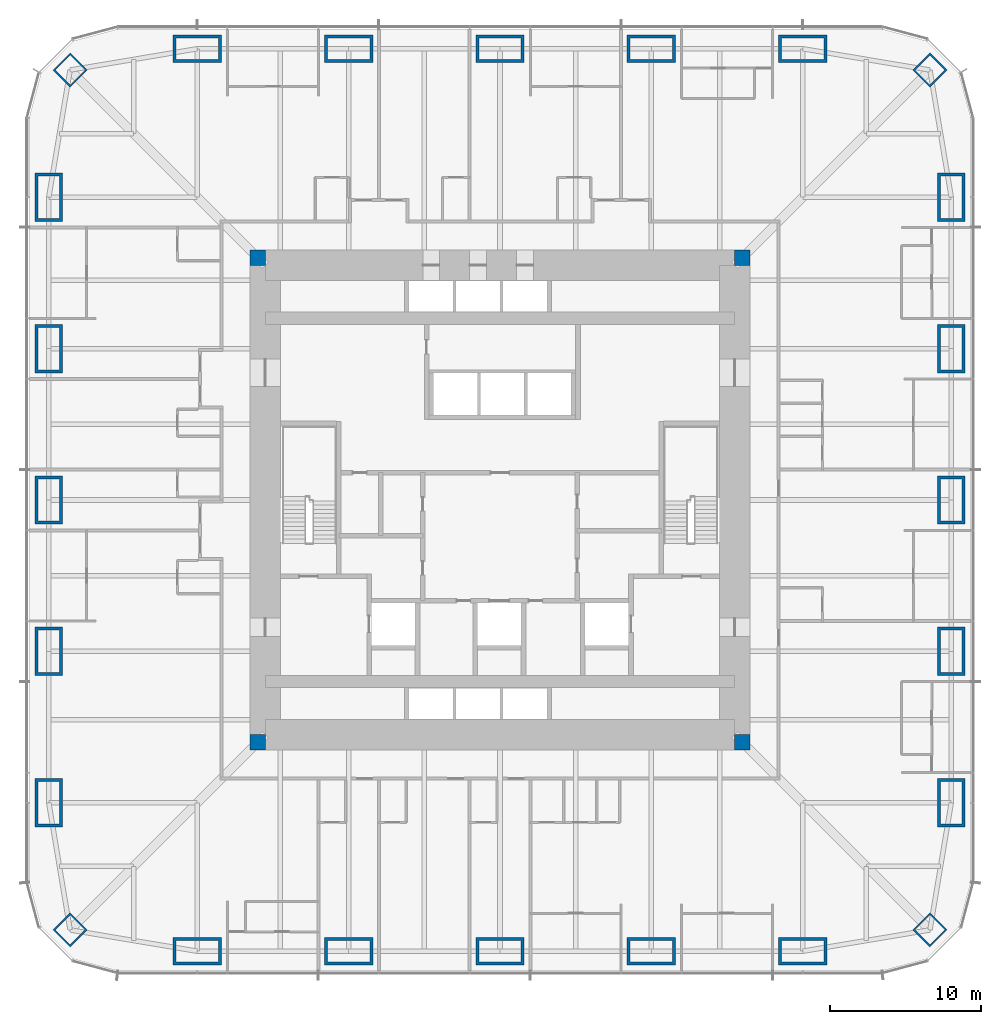
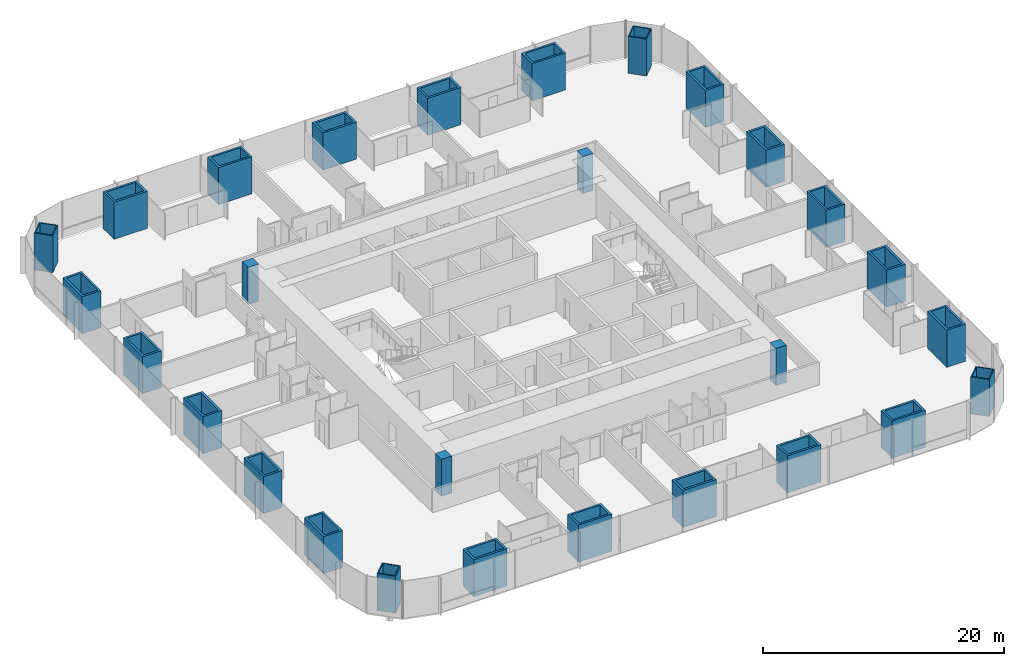
# One storey, part 1 of 17: 28 columns.
"""IFC4 building model written with IfcOpenShell, lengths in metres."""

from ifc_helpers import new_model, si_unit, direction, frame, origin, origin_2d, place, context, subcontext, project, spatial, rectangle, hollow_rectangle, extrude, material, material_profile, profile_set, type_object, element, save


model = new_model("IFC4")

# Units and contexts
model_context = context("Model", 3, precision=1e-05, world=origin(), true_north=direction((0.0, 1.0)))
body_context = subcontext(model_context, "Body", "Model", "MODEL_VIEW")
ifc_project = project(units=[si_unit("LENGTHUNIT", "METRE"), si_unit("AREAUNIT", "SQUARE_METRE"), si_unit("VOLUMEUNIT", "CUBIC_METRE"), si_unit("PLANEANGLEUNIT", "RADIAN"), si_unit("MASSUNIT", "GRAM", prefix="KILO")], contexts=[model_context])

# Site, building, storey
site_placement = place(None, origin())
site = spatial("IfcSite", under=ifc_project, at=site_placement, CompositionType="ELEMENT")
building_placement = place(site_placement, origin())
building = spatial("IfcBuilding", under=site, at=building_placement, Name="Khuree Lantern Residences", CompositionType="ELEMENT")
storey_placement = place(building_placement, frame((0.0, 0.0, 73.5)))
storey = spatial("IfcBuildingStorey", under=building, at=storey_placement, Name="L18", CompositionType="ELEMENT", Elevation=73.5)

# Columns
ifc_material_1 = material(Name="Steel S355 CFT welded box", Category="steel")
ifc_material_profile_1 = material_profile(ifc_material_1, hollow_rectangle(XDim=1.60009765625, YDim=1.60009765625, WallThickness=0.10009765625, at=origin_2d()), Name="WELDED BOX 1600X1600X100")
ifc_profile_set_1 = profile_set([ifc_material_profile_1], Name="Steel S355 CFT welded box")
column_type_1 = type_object("IfcColumnType", Name="CC1600 PERIMETER CORNER MEGA COLUMN WELDED BOX 1600X1600X100", PredefinedType="COLUMN", material=ifc_profile_set_1)
for number, where, z_axis, x_axis, name in (
    (1, (28.39404296875, 28.39404296875, 0.0), (0.0, 0.0, 1.0), (0.707106781187, -0.707106781187, 0.0), "Perimeter column NE"),
    (2, (28.39404296875, -28.39404296875, 0.0), (0.0, 0.0, 1.0), (0.707106781187, 0.707106781187, 0.0), "Perimeter column SE"),
    (3, (-28.39404296875, -28.39404296875, 0.0), (0.0, 0.0, 1.0), (0.707106781187, -0.707106781187, 0.0), "Perimeter column SW"),
    (4, (-28.39404296875, 28.39404296875, 0.0), (0.0, 0.0, 1.0), (0.707106781187, 0.707106781187, 0.0), "Perimeter column NW"),
):
    element("IfcColumn", number, at=place(storey_placement, frame(where, z_axis=z_axis, x_axis=x_axis)), inside=storey, type_object=column_type_1, Name=name, PredefinedType="COLUMN", context=body_context, shape_type="SweptSolid", body=[
        extrude(hollow_rectangle(XDim=1.60009765625, YDim=1.60009765625, WallThickness=0.10009765625, at=origin_2d()), origin(), (0.0, 0.0, 1.0), 3.75),
    ])
ifc_material_2 = material(Name="Concrete C70/85", Category="concrete")
ifc_material_profile_2 = material_profile(ifc_material_2, rectangle(XDim=1.0, YDim=1.0, at=origin_2d()), Name="RC 1000X1000")
ifc_profile_set_2 = profile_set([ifc_material_profile_2], Name="Concrete C70/85")
column_type_2 = type_object("IfcColumnType", Name="CP1000-C70 CORE CORNER PIER C70 RC 1000X1000", PredefinedType="COLUMN", material=ifc_profile_set_2)
for number, where, z_axis, x_axis, name in (
    (5, (16.0, 16.0, -0.25), (0.0, 0.0, 1.0), (1.0, 0.0, 0.0), "Core corner pier NE"),
    (6, (-16.0, 16.0, -0.25), (0.0, 0.0, 1.0), (1.0, 0.0, 0.0), "Core corner pier NW"),
    (7, (-16.0, -16.0, -0.25), (0.0, 0.0, 1.0), (1.0, 0.0, 0.0), "Core corner pier SW"),
    (8, (16.0, -16.0, -0.25), (0.0, 0.0, 1.0), (1.0, 0.0, 0.0), "Core corner pier SE"),
):
    element("IfcColumn", number, at=place(storey_placement, frame(where, z_axis=z_axis, x_axis=x_axis)), inside=storey, type_object=column_type_2, Name=name, PredefinedType="COLUMN", context=body_context, shape_type="SweptSolid", body=[
        extrude(rectangle(XDim=1.0, YDim=1.0, at=origin_2d()), origin(), (0.0, 0.0, 1.0), 3.75),
    ])
ifc_material_profile_3 = material_profile(ifc_material_1, hollow_rectangle(XDim=3.199951171875, YDim=1.800048828125, WallThickness=0.199951171875, at=origin_2d()), Name="WELDED BOX 3200X1800X200")
ifc_profile_set_3 = profile_set([ifc_material_profile_3], Name="Steel S355 CFT welded box")
column_type_3 = type_object("IfcColumnType", Name="SC1 PERIMETER MEGA COLUMN WELDED BOX 3200X1800X200", PredefinedType="COLUMN", material=ifc_profile_set_3)
for number, where, z_axis, x_axis, name in (
    (9, (-20.0, 29.800048828125, 0.0), (0.0, 0.0, 1.0), (1.0, 0.0, 0.0), "Perimeter column N1"),
    (10, (-10.0, 29.800048828125, 0.0), (0.0, 0.0, 1.0), (1.0, 0.0, 0.0), "Perimeter column N2"),
    (11, (0.0, 29.800048828125, 0.0), (0.0, 0.0, 1.0), (1.0, 0.0, 0.0), "Perimeter column N3"),
    (12, (10.0, 29.800048828125, 0.0), (0.0, 0.0, 1.0), (1.0, 0.0, 0.0), "Perimeter column N4"),
    (13, (20.0, 29.800048828125, 0.0), (0.0, 0.0, 1.0), (1.0, 0.0, 0.0), "Perimeter column N5"),
    (14, (29.800048828125, 20.0, 0.0), (0.0, 0.0, 1.0), (0.0, 1.0, 0.0), "Perimeter column E1"),
    (15, (29.800048828125, 10.0, 0.0), (0.0, 0.0, 1.0), (0.0, 1.0, 0.0), "Perimeter column E2"),
    (16, (29.800048828125, 0.0, 0.0), (0.0, 0.0, 1.0), (0.0, 1.0, 0.0), "Perimeter column E3"),
    (17, (29.800048828125, -10.0, 0.0), (0.0, 0.0, 1.0), (0.0, 1.0, 0.0), "Perimeter column E4"),
    (18, (29.800048828125, -20.0, 0.0), (0.0, 0.0, 1.0), (0.0, 1.0, 0.0), "Perimeter column E5"),
    (19, (20.0, -29.800048828125, 0.0), (0.0, 0.0, 1.0), (1.0, 0.0, 0.0), "Perimeter column S1"),
    (20, (10.0, -29.800048828125, 0.0), (0.0, 0.0, 1.0), (1.0, 0.0, 0.0), "Perimeter column S2"),
    (21, (0.0, -29.800048828125, 0.0), (0.0, 0.0, 1.0), (1.0, 0.0, 0.0), "Perimeter column S3"),
    (22, (-10.0, -29.800048828125, 0.0), (0.0, 0.0, 1.0), (1.0, 0.0, 0.0), "Perimeter column S4"),
    (23, (-20.0, -29.800048828125, 0.0), (0.0, 0.0, 1.0), (1.0, 0.0, 0.0), "Perimeter column S5"),
    (24, (-29.800048828125, -20.0, 0.0), (0.0, 0.0, 1.0), (0.0, 1.0, 0.0), "Perimeter column W1"),
    (25, (-29.800048828125, -10.0, 0.0), (0.0, 0.0, 1.0), (0.0, 1.0, 0.0), "Perimeter column W2"),
    (26, (-29.800048828125, 0.0, 0.0), (0.0, 0.0, 1.0), (0.0, 1.0, 0.0), "Perimeter column W3"),
    (27, (-29.800048828125, 10.0, 0.0), (0.0, 0.0, 1.0), (0.0, 1.0, 0.0), "Perimeter column W4"),
    (28, (-29.800048828125, 20.0, 0.0), (0.0, 0.0, 1.0), (0.0, 1.0, 0.0), "Perimeter column W5"),
):
    element("IfcColumn", number, at=place(storey_placement, frame(where, z_axis=z_axis, x_axis=x_axis)), inside=storey, type_object=column_type_3, Name=name, PredefinedType="COLUMN", context=body_context, shape_type="SweptSolid", body=[
        extrude(hollow_rectangle(XDim=3.199951171875, YDim=1.800048828125, WallThickness=0.199951171875, at=origin_2d()), origin(), (0.0, 0.0, 1.0), 3.75),
    ])

save(model, "model.ifc")
